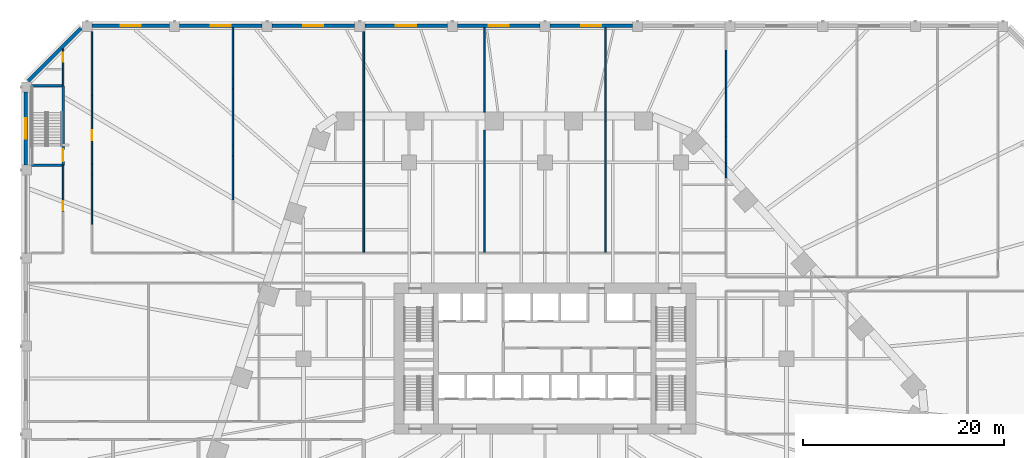
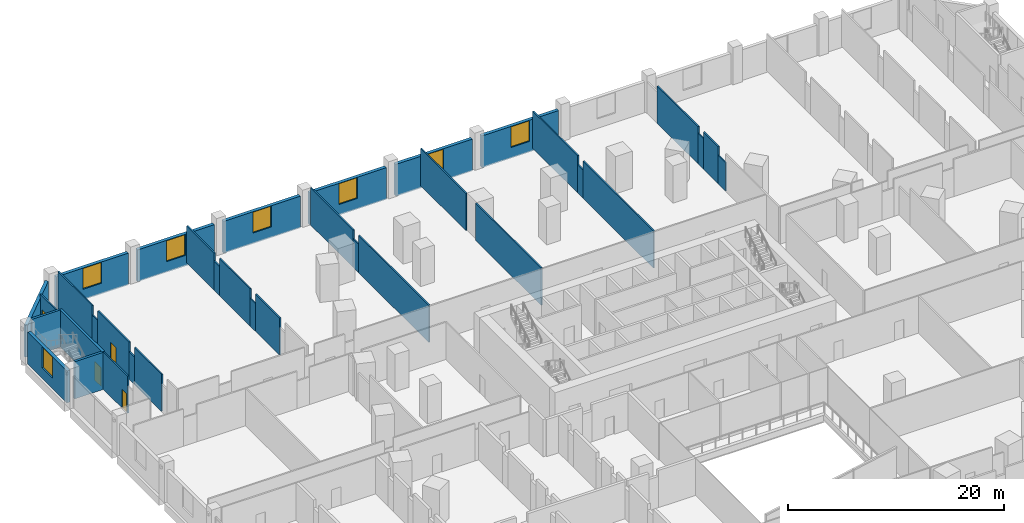
# One storey, part 21 of 33: 35 walls, 7 windows, 4 doors, 11 openings.
"""IFC4 building model written with IfcOpenShell, lengths in metres."""

from ifc_helpers import new_model, si_unit, direction, frame, frame_2d, origin, place, context, subcontext, project, spatial, rectangle, extrude, material, layer, layer_set, type_object, element, fill, save


model = new_model("IFC4")

# Units and contexts
model_context = context("Model", 3, precision=1e-05, world=origin(), true_north=direction((0.0, 1.0)))
body_context = subcontext(model_context, "Body", "Model", "MODEL_VIEW")
ifc_project = project(units=[si_unit("LENGTHUNIT", "METRE"), si_unit("AREAUNIT", "SQUARE_METRE"), si_unit("VOLUMEUNIT", "CUBIC_METRE"), si_unit("PLANEANGLEUNIT", "RADIAN"), si_unit("MASSUNIT", "GRAM", prefix="KILO")], contexts=[model_context])

# Site, building, storey
site_placement = place(None, origin())
site = spatial("IfcSite", under=ifc_project, at=site_placement, CompositionType="ELEMENT")
building_placement = place(site_placement, origin())
building = spatial("IfcBuilding", under=site, at=building_placement, Name="Isthmus Gate Tower", CompositionType="ELEMENT")
storey_placement = place(building_placement, frame((0.0, 0.0, 22.5)))
storey = spatial("IfcBuildingStorey", under=building, at=storey_placement, Name="L03", CompositionType="ELEMENT", Elevation=22.5)

# Wall, opening, door
ifc_material_1 = material(Name="Fire-rated gypsum board on steel studs", Category="steel")
ifc_layer_1 = layer(ifc_material_1, 0.14990234375)
ifc_layer_set_1 = layer_set([ifc_layer_1], Name="Fire-rated partition 150 EI 60")
wall_type_1 = type_object("IfcWallType", Name="Fire-rated partition 150 EI 60", PredefinedType="PARTITIONING", material=ifc_layer_set_1)
wall_1_placement = place(storey_placement, frame((-47.875, 22.11572265625, 0.0), z_axis=(0.0, 0.0, 1.0), x_axis=(0.0, 1.0, 0.0)))
wall_1 = element("IfcWall", 1, at=wall_1_placement, inside=storey, type_object=wall_type_1, Name="Fire-rated partition", PredefinedType="PARTITIONING", context=body_context, shape_type="SweptSolid", body=[
    extrude(rectangle(XDim=4.584228515625, YDim=0.14990234375, at=frame_2d((2.2919921875, 0.0))), origin(), (0.0, 0.0, 1.0), 4.199951171875),
])
opening_1_placement = place(wall_1_placement, frame((0.14990234375, 0.0, 0.0)))
opening_1 = element("IfcOpeningElement", 2, at=opening_1_placement, cuts=wall_1, Name="Opening DP03-02", PredefinedType="OPENING", context=body_context, shape_type="SweptSolid", body=[
    extrude(rectangle(XDim=0.89990234375, YDim=2.10009765625, at=frame_2d((0.449951171875, 1.050048828125))), frame((0.0, 0.0849609375, 0.0), z_axis=(0.0, -1.0, 0.0), x_axis=(1.0, 0.0, 0.0)), (0.0, 0.0, 1.0), 0.169921875),
])
ifc_material_2 = material(Name="Steel fire door with intumescent seals", Category="steel")
door_type_1 = type_object("IfcDoorType", Name="Fire door 900 x 2100", OperationType="SINGLE_SWING_LEFT", PredefinedType="DOOR", material=ifc_material_2)
door_1_placement = place(opening_1_placement, origin())
door_1 = element("IfcDoor", 3, at=door_1_placement, inside=storey, type_object=door_type_1, Name="Door DP03-02", OperationType="SINGLE_SWING_LEFT", OverallHeight=2.10009765625, OverallWidth=0.89990234375, PredefinedType="DOOR", context=body_context, shape_type="SweptSolid", body=[
    extrude(rectangle(XDim=0.89990234375, YDim=2.10009765625, at=frame_2d((0.449951171875, 1.050048828125))), frame((0.0, 0.02490234375, 0.0), z_axis=(0.0, -1.0, 0.0), x_axis=(1.0, 0.0, 0.0)), (0.0, 0.0, 1.0), 0.050048828125),
])
fill(opening_1, door_1)

wall_2_placement = place(storey_placement, frame((-47.875, 34.60009765625, 0.0), z_axis=(0.0, 0.0, 1.0), x_axis=(0.0, 1.0, 0.0)))
wall_2 = element("IfcWall", 4, at=wall_2_placement, inside=storey, type_object=wall_type_1, Name="Fire-rated partition", PredefinedType="PARTITIONING", context=body_context, shape_type="SweptSolid", body=[
    extrude(rectangle(XDim=3.676513671875, YDim=0.14990234375, at=frame_2d((1.83837890625, 0.0))), origin(), (0.0, 0.0, 1.0), 3.66650390625),
])
opening_2_placement = place(wall_2_placement, frame((2.39990234375, 0.0, 0.0)))
opening_2 = element("IfcOpeningElement", 5, at=opening_2_placement, cuts=wall_2, Name="Opening DP03-03", PredefinedType="OPENING", context=body_context, shape_type="SweptSolid", body=[
    extrude(rectangle(XDim=0.89990234375, YDim=2.10009765625, at=frame_2d((0.449951171875, 1.050048828125))), frame((0.0, 0.0849609375, 0.0), z_axis=(0.0, -1.0, 0.0), x_axis=(1.0, 0.0, 0.0)), (0.0, 0.0, 1.0), 0.169921875),
])
door_2_placement = place(opening_2_placement, origin())
door_2 = element("IfcDoor", 6, at=door_2_placement, inside=storey, type_object=door_type_1, Name="Door DP03-03", OperationType="SINGLE_SWING_LEFT", OverallHeight=2.10009765625, OverallWidth=0.89990234375, PredefinedType="DOOR", context=body_context, shape_type="SweptSolid", body=[
    extrude(rectangle(XDim=0.89990234375, YDim=2.10009765625, at=frame_2d((0.449951171875, 1.050048828125))), frame((0.0, 0.02490234375, 0.0), z_axis=(0.0, -1.0, 0.0), x_axis=(1.0, 0.0, 0.0)), (0.0, 0.0, 1.0), 0.050048828125),
])
fill(opening_2, door_2)

# Walls
wall_3_placement = place(storey_placement, frame((-45.0, 20.81103515625, 0.0), z_axis=(0.0, 0.0, 1.0), x_axis=(0.0, 1.0, 0.0)))
element("IfcWall", 7, at=wall_3_placement, inside=storey, type_object=wall_type_1, Name="Fire-rated partition", PredefinedType="PARTITIONING", context=body_context, shape_type="SweptSolid", body=[
    extrude(rectangle(XDim=5.001708984375, YDim=0.14990234375, at=frame_2d((2.5009765625, 0.0))), origin(), (0.0, 0.0, 1.0), 4.199951171875),
])
wall_4_placement = place(storey_placement, frame((-45.0, 25.812744140625, 0.0), z_axis=(0.0, 0.0, 1.0), x_axis=(0.0, 1.0, 0.0)))
element("IfcWall", 8, at=wall_4_placement, inside=storey, type_object=wall_type_1, Name="Fire-rated partition", PredefinedType="PARTITIONING", context=body_context, shape_type="SweptSolid", body=[
    extrude(rectangle(XDim=1.0, YDim=0.14990234375, at=frame_2d((0.5, 0.0))), origin(), (0.0, 0.0, 1.0), 3.111083984375),
])

# Wall, opening, door
wall_5_placement = place(storey_placement, frame((-45.0, 26.812744140625, 0.0), z_axis=(0.0, 0.0, 1.0), x_axis=(0.0, 1.0, 0.0)))
wall_5 = element("IfcWall", 9, at=wall_5_placement, inside=storey, type_object=wall_type_1, Name="Fire-rated partition", PredefinedType="PARTITIONING", context=body_context, shape_type="SweptSolid", body=[
    extrude(rectangle(XDim=5.808349609375, YDim=0.14990234375, at=frame_2d((2.904296875, 0.0))), origin(), (0.0, 0.0, 1.0), 4.199951171875),
])
opening_3_placement = place(wall_5_placement, frame((2.39990234375, 0.0, 0.0)))
opening_3 = element("IfcOpeningElement", 10, at=opening_3_placement, cuts=wall_5, Name="Opening DP03-31", PredefinedType="OPENING", context=body_context, shape_type="SweptSolid", body=[
    extrude(rectangle(XDim=1.0, YDim=2.10009765625, at=frame_2d((0.5, 1.050048828125))), frame((0.0, 0.0849609375, 0.0), z_axis=(0.0, -1.0, 0.0), x_axis=(1.0, 0.0, 0.0)), (0.0, 0.0, 1.0), 0.169921875),
])
ifc_material_3 = material(Name="Steel fire door with intumescent seals", Category="steel")
door_type_2 = type_object("IfcDoorType", Name="Fire door 1000 x 2100", OperationType="SINGLE_SWING_LEFT", PredefinedType="DOOR", material=ifc_material_3)
door_3_placement = place(opening_3_placement, origin())
door_3 = element("IfcDoor", 11, at=door_3_placement, inside=storey, type_object=door_type_2, Name="Door DP03-31", OperationType="SINGLE_SWING_LEFT", OverallHeight=2.10009765625, OverallWidth=1.0, PredefinedType="DOOR", context=body_context, shape_type="SweptSolid", body=[
    extrude(rectangle(XDim=1.0, YDim=2.10009765625, at=frame_2d((0.5, 1.050048828125))), frame((0.0, 0.02490234375, 0.0), z_axis=(0.0, -1.0, 0.0), x_axis=(1.0, 0.0, 0.0)), (0.0, 0.0, 1.0), 0.050048828125),
])
fill(opening_3, door_3)

# Walls
wall_6_placement = place(storey_placement, frame((-45.0, 32.62109375, 0.0), z_axis=(0.0, 0.0, 1.0), x_axis=(0.0, 1.0, 0.0)))
element("IfcWall", 12, at=wall_6_placement, inside=storey, type_object=wall_type_1, Name="Fire-rated partition", PredefinedType="PARTITIONING", context=body_context, shape_type="SweptSolid", body=[
    extrude(rectangle(XDim=1.0, YDim=0.14990234375, at=frame_2d((0.5, 0.0))), origin(), (0.0, 0.0, 1.0), 3.111083984375),
])
wall_7_placement = place(storey_placement, frame((-45.0, 33.62109375, 0.0), z_axis=(0.0, 0.0, 1.0), x_axis=(0.0, 1.0, 0.0)))
element("IfcWall", 13, at=wall_7_placement, inside=storey, type_object=wall_type_1, Name="Fire-rated partition", PredefinedType="PARTITIONING", context=body_context, shape_type="SweptSolid", body=[
    extrude(rectangle(XDim=6.37890625, YDim=0.14990234375, at=frame_2d((3.189453125, 0.0))), origin(), (0.0, 0.0, 1.0), 4.199951171875),
])

# Wall, opening, window
ifc_material_4 = material(Name="Precast concrete C40/50, limestone-faced", Category="masonry")
ifc_layer_2 = layer(ifc_material_4, 0.35009765625)
ifc_layer_set_2 = layer_set([ifc_layer_2], Name="PODIUM CLADDING WALL 350")
wall_type_2 = type_object("IfcWallType", Name="PODIUM CLADDING WALL 350", PredefinedType="SOLIDWALL", material=ifc_layer_set_2)
wall_8_placement = place(storey_placement, frame((8.699951171875, 40.574951171875, -0.300048828125), z_axis=(0.0, 0.0, 1.0), x_axis=(-1.0, 0.0, 0.0)))
wall_8 = element("IfcWall", 14, at=wall_8_placement, inside=storey, type_object=wall_type_2, Name="PODIUM WALL", PredefinedType="SOLIDWALL", context=body_context, shape_type="SweptSolid", body=[
    extrude(rectangle(XDim=8.199951171875, YDim=0.35009765625, at=frame_2d((4.10009765625, 0.0))), origin(), (0.0, 0.0, 1.0), 3.60009765625),
])
opening_4_placement = place(wall_8_placement, frame((3.10009765625, 0.0, 1.199951171875)))
opening_4 = element("IfcOpeningElement", 15, at=opening_4_placement, cuts=wall_8, Name="Opening W052", PredefinedType="OPENING", context=body_context, shape_type="SweptSolid", body=[
    extrude(rectangle(XDim=2.0, YDim=2.35009765625, at=frame_2d((1.0, 1.175048828125))), frame((0.0, 0.18505859375, 0.0), z_axis=(0.0, -1.0, 0.0), x_axis=(1.0, 0.0, 0.0)), (0.0, 0.0, 1.0), 0.3701171875),
])
ifc_material_5 = material(Name="Aluminium, pale champagne anodised, laminated glass", Category="aluminium")
window_type = type_object("IfcWindowType", Name="PODIUM SLOT WINDOW 2000 X 2350", PartitioningType="SINGLE_PANEL", PredefinedType="WINDOW", material=ifc_material_5)
window_1_placement = place(opening_4_placement, origin())
window_1 = element("IfcWindow", 16, at=window_1_placement, inside=storey, type_object=window_type, Name="SLOT WINDOW", OverallHeight=2.35009765625, OverallWidth=2.0, PartitioningType="SINGLE_PANEL", PredefinedType="WINDOW", context=body_context, shape_type="SweptSolid", body=[
    extrude(rectangle(XDim=2.0, YDim=2.35009765625, at=frame_2d((1.0, 1.175048828125))), frame((0.0, 0.030029296875, 0.0), z_axis=(0.0, -1.0, 0.0), x_axis=(1.0, 0.0, 0.0)), (0.0, 0.0, 1.0), 0.06005859375),
])
fill(opening_4, window_1)

wall_9_placement = place(storey_placement, frame((-0.5, 40.574951171875, -0.300048828125), z_axis=(0.0, 0.0, 1.0), x_axis=(-1.0, 0.0, 0.0)))
wall_9 = element("IfcWall", 17, at=wall_9_placement, inside=storey, type_object=wall_type_2, Name="PODIUM WALL", PredefinedType="SOLIDWALL", context=body_context, shape_type="SweptSolid", body=[
    extrude(rectangle(XDim=8.199951171875, YDim=0.35009765625, at=frame_2d((4.10009765625, 0.0))), origin(), (0.0, 0.0, 1.0), 3.60009765625),
])
opening_5_placement = place(wall_9_placement, frame((3.10009765625, 0.0, 1.199951171875)))
opening_5 = element("IfcOpeningElement", 18, at=opening_5_placement, cuts=wall_9, Name="Opening W053", PredefinedType="OPENING", context=body_context, shape_type="SweptSolid", body=[
    extrude(rectangle(XDim=2.0, YDim=2.35009765625, at=frame_2d((1.0, 1.175048828125))), frame((0.0, 0.18505859375, 0.0), z_axis=(0.0, -1.0, 0.0), x_axis=(1.0, 0.0, 0.0)), (0.0, 0.0, 1.0), 0.3701171875),
])
window_2_placement = place(opening_5_placement, origin())
window_2 = element("IfcWindow", 19, at=window_2_placement, inside=storey, type_object=window_type, Name="SLOT WINDOW", OverallHeight=2.35009765625, OverallWidth=2.0, PartitioningType="SINGLE_PANEL", PredefinedType="WINDOW", context=body_context, shape_type="SweptSolid", body=[
    extrude(rectangle(XDim=2.0, YDim=2.35009765625, at=frame_2d((1.0, 1.175048828125))), frame((0.0, 0.030029296875, 0.0), z_axis=(0.0, -1.0, 0.0), x_axis=(1.0, 0.0, 0.0)), (0.0, 0.0, 1.0), 0.06005859375),
])
fill(opening_5, window_2)

wall_10_placement = place(storey_placement, frame((-9.699951171875, 40.574951171875, -0.300048828125), z_axis=(0.0, 0.0, 1.0), x_axis=(-1.0, 0.0, 0.0)))
wall_10 = element("IfcWall", 20, at=wall_10_placement, inside=storey, type_object=wall_type_2, Name="PODIUM WALL", PredefinedType="SOLIDWALL", context=body_context, shape_type="SweptSolid", body=[
    extrude(rectangle(XDim=8.199951171875, YDim=0.35009765625, at=frame_2d((4.10009765625, 0.0))), origin(), (0.0, 0.0, 1.0), 3.60009765625),
])
opening_6_placement = place(wall_10_placement, frame((3.10009765625, 0.0, 1.199951171875)))
opening_6 = element("IfcOpeningElement", 21, at=opening_6_placement, cuts=wall_10, Name="Opening W054", PredefinedType="OPENING", context=body_context, shape_type="SweptSolid", body=[
    extrude(rectangle(XDim=2.0, YDim=2.35009765625, at=frame_2d((1.0, 1.175048828125))), frame((0.0, 0.18505859375, 0.0), z_axis=(0.0, -1.0, 0.0), x_axis=(1.0, 0.0, 0.0)), (0.0, 0.0, 1.0), 0.3701171875),
])
window_3_placement = place(opening_6_placement, origin())
window_3 = element("IfcWindow", 22, at=window_3_placement, inside=storey, type_object=window_type, Name="SLOT WINDOW", OverallHeight=2.35009765625, OverallWidth=2.0, PartitioningType="SINGLE_PANEL", PredefinedType="WINDOW", context=body_context, shape_type="SweptSolid", body=[
    extrude(rectangle(XDim=2.0, YDim=2.35009765625, at=frame_2d((1.0, 1.175048828125))), frame((0.0, 0.030029296875, 0.0), z_axis=(0.0, -1.0, 0.0), x_axis=(1.0, 0.0, 0.0)), (0.0, 0.0, 1.0), 0.06005859375),
])
fill(opening_6, window_3)

wall_11_placement = place(storey_placement, frame((-18.89990234375, 40.574951171875, -0.300048828125), z_axis=(0.0, 0.0, 1.0), x_axis=(-1.0, 0.0, 0.0)))
wall_11 = element("IfcWall", 23, at=wall_11_placement, inside=storey, type_object=wall_type_2, Name="PODIUM WALL", PredefinedType="SOLIDWALL", context=body_context, shape_type="SweptSolid", body=[
    extrude(rectangle(XDim=8.2001953125, YDim=0.35009765625, at=frame_2d((4.10009765625, 0.0))), origin(), (0.0, 0.0, 1.0), 3.60009765625),
])
opening_7_placement = place(wall_11_placement, frame((3.10009765625, 0.0, 1.199951171875)))
opening_7 = element("IfcOpeningElement", 24, at=opening_7_placement, cuts=wall_11, Name="Opening W055", PredefinedType="OPENING", context=body_context, shape_type="SweptSolid", body=[
    extrude(rectangle(XDim=2.0, YDim=2.35009765625, at=frame_2d((1.0, 1.175048828125))), frame((0.0, 0.18505859375, 0.0), z_axis=(0.0, -1.0, 0.0), x_axis=(1.0, 0.0, 0.0)), (0.0, 0.0, 1.0), 0.3701171875),
])
window_4_placement = place(opening_7_placement, origin())
window_4 = element("IfcWindow", 25, at=window_4_placement, inside=storey, type_object=window_type, Name="SLOT WINDOW", OverallHeight=2.35009765625, OverallWidth=2.0, PartitioningType="SINGLE_PANEL", PredefinedType="WINDOW", context=body_context, shape_type="SweptSolid", body=[
    extrude(rectangle(XDim=2.0, YDim=2.35009765625, at=frame_2d((1.0, 1.175048828125))), frame((0.0, 0.030029296875, 0.0), z_axis=(0.0, -1.0, 0.0), x_axis=(1.0, 0.0, 0.0)), (0.0, 0.0, 1.0), 0.06005859375),
])
fill(opening_7, window_4)

wall_12_placement = place(storey_placement, frame((-28.10009765625, 40.574951171875, -0.300048828125), z_axis=(0.0, 0.0, 1.0), x_axis=(-1.0, 0.0, 0.0)))
wall_12 = element("IfcWall", 26, at=wall_12_placement, inside=storey, type_object=wall_type_2, Name="PODIUM WALL", PredefinedType="SOLIDWALL", context=body_context, shape_type="SweptSolid", body=[
    extrude(rectangle(XDim=8.199951171875, YDim=0.35009765625, at=frame_2d((4.10009765625, 0.0))), origin(), (0.0, 0.0, 1.0), 3.60009765625),
])
opening_8_placement = place(wall_12_placement, frame((3.10009765625, 0.0, 1.199951171875)))
opening_8 = element("IfcOpeningElement", 27, at=opening_8_placement, cuts=wall_12, Name="Opening W056", PredefinedType="OPENING", context=body_context, shape_type="SweptSolid", body=[
    extrude(rectangle(XDim=2.0, YDim=2.35009765625, at=frame_2d((1.0, 1.175048828125))), frame((0.0, 0.18505859375, 0.0), z_axis=(0.0, -1.0, 0.0), x_axis=(1.0, 0.0, 0.0)), (0.0, 0.0, 1.0), 0.3701171875),
])
window_5_placement = place(opening_8_placement, origin())
window_5 = element("IfcWindow", 28, at=window_5_placement, inside=storey, type_object=window_type, Name="SLOT WINDOW", OverallHeight=2.35009765625, OverallWidth=2.0, PartitioningType="SINGLE_PANEL", PredefinedType="WINDOW", context=body_context, shape_type="SweptSolid", body=[
    extrude(rectangle(XDim=2.0, YDim=2.35009765625, at=frame_2d((1.0, 1.175048828125))), frame((0.0, 0.030029296875, 0.0), z_axis=(0.0, -1.0, 0.0), x_axis=(1.0, 0.0, 0.0)), (0.0, 0.0, 1.0), 0.06005859375),
])
fill(opening_8, window_5)

wall_13_placement = place(storey_placement, frame((-37.300048828125, 40.574951171875, -0.300048828125), z_axis=(0.0, 0.0, 1.0), x_axis=(-1.0, 0.0, 0.0)))
wall_13 = element("IfcWall", 29, at=wall_13_placement, inside=storey, type_object=wall_type_2, Name="PODIUM WALL", PredefinedType="SOLIDWALL", context=body_context, shape_type="SweptSolid", body=[
    extrude(rectangle(XDim=7.699951171875, YDim=0.35009765625, at=frame_2d((3.85009765625, 0.0))), origin(), (0.0, 0.0, 1.0), 3.60009765625),
])
opening_9_placement = place(wall_13_placement, frame((2.85009765625, 0.0, 1.199951171875)))
opening_9 = element("IfcOpeningElement", 30, at=opening_9_placement, cuts=wall_13, Name="Opening W057", PredefinedType="OPENING", context=body_context, shape_type="SweptSolid", body=[
    extrude(rectangle(XDim=2.0, YDim=2.35009765625, at=frame_2d((1.0, 1.175048828125))), frame((0.0, 0.18505859375, 0.0), z_axis=(0.0, -1.0, 0.0), x_axis=(1.0, 0.0, 0.0)), (0.0, 0.0, 1.0), 0.3701171875),
])
window_6_placement = place(opening_9_placement, origin())
window_6 = element("IfcWindow", 31, at=window_6_placement, inside=storey, type_object=window_type, Name="SLOT WINDOW", OverallHeight=2.35009765625, OverallWidth=2.0, PartitioningType="SINGLE_PANEL", PredefinedType="WINDOW", context=body_context, shape_type="SweptSolid", body=[
    extrude(rectangle(XDim=2.0, YDim=2.35009765625, at=frame_2d((1.0, 1.175048828125))), frame((0.0, 0.030029296875, 0.0), z_axis=(0.0, -1.0, 0.0), x_axis=(1.0, 0.0, 0.0)), (0.0, 0.0, 1.0), 0.06005859375),
])
fill(opening_9, window_6)

# Wall
wall_14_placement = place(storey_placement, frame((-46.071533203125, 40.327392578125, -0.300048828125), z_axis=(0.0, 0.0, 1.0), x_axis=(-0.707106781187, -0.707106781187, 0.0)))
element("IfcWall", 32, at=wall_14_placement, inside=storey, type_object=wall_type_2, Name="PODIUM WALL", PredefinedType="SOLIDWALL", context=body_context, shape_type="SweptSolid", body=[
    extrude(rectangle(XDim=7.432861328125, YDim=0.35009765625, at=frame_2d((3.71630859375, 0.0))), origin(), (0.0, 0.0, 1.0), 3.60009765625),
])

# Wall, opening, window
wall_15_placement = place(storey_placement, frame((-51.574951171875, 34.0, -0.300048828125), z_axis=(0.0, 0.0, 1.0), x_axis=(0.0, -1.0, 0.0)))
wall_15 = element("IfcWall", 33, at=wall_15_placement, inside=storey, type_object=wall_type_2, Name="PODIUM WALL", PredefinedType="SOLIDWALL", context=body_context, shape_type="SweptSolid", body=[
    extrude(rectangle(XDim=7.25, YDim=0.35009765625, at=frame_2d((3.625, 0.0))), origin(), (0.0, 0.0, 1.0), 3.60009765625),
])
opening_10_placement = place(wall_15_placement, frame((2.625, 0.0, 1.199951171875)))
opening_10 = element("IfcOpeningElement", 34, at=opening_10_placement, cuts=wall_15, Name="Opening W058", PredefinedType="OPENING", context=body_context, shape_type="SweptSolid", body=[
    extrude(rectangle(XDim=2.0, YDim=2.35009765625, at=frame_2d((1.0, 1.175048828125))), frame((0.0, 0.18505859375, 0.0), z_axis=(0.0, -1.0, 0.0), x_axis=(1.0, 0.0, 0.0)), (0.0, 0.0, 1.0), 0.3701171875),
])
window_7_placement = place(opening_10_placement, origin())
window_7 = element("IfcWindow", 35, at=window_7_placement, inside=storey, type_object=window_type, Name="SLOT WINDOW", OverallHeight=2.35009765625, OverallWidth=2.0, PartitioningType="SINGLE_PANEL", PredefinedType="WINDOW", context=body_context, shape_type="SweptSolid", body=[
    extrude(rectangle(XDim=2.0, YDim=2.35009765625, at=frame_2d((1.0, 1.175048828125))), frame((0.0, 0.030029296875, 0.0), z_axis=(0.0, -1.0, 0.0), x_axis=(1.0, 0.0, 0.0)), (0.0, 0.0, 1.0), 0.06005859375),
])
fill(opening_10, window_7)

# Walls
ifc_material_6 = material(Name="Gypsum board on cold-formed steel studs", Category="steel")
ifc_layer_3 = layer(ifc_material_6, 0.14990234375)
ifc_layer_set_3 = layer_set([ifc_layer_3])
wall_type_3 = type_object("IfcWallType", Name="Partition 150 gypsum board on steel studs", PredefinedType="PARTITIONING", material=ifc_layer_set_3)
wall_16_placement = place(storey_placement, frame((-31.0, 23.219970703125, 0.0), z_axis=(0.0, 0.0, 1.0), x_axis=(0.0, 1.0, 0.0)))
element("IfcWall", 36, at=wall_16_placement, inside=storey, type_object=wall_type_3, Name="Partition", PredefinedType="PARTITIONING", context=body_context, shape_type="SweptSolid", body=[
    extrude(rectangle(XDim=4.460205078125, YDim=0.14990234375, at=frame_2d((2.22998046875, 0.0))), origin(), (0.0, 0.0, 1.0), 4.199951171875),
])
wall_17_placement = place(storey_placement, frame((-31.0, 27.68017578125, 0.0), z_axis=(0.0, 0.0, 1.0), x_axis=(0.0, 1.0, 0.0)))
element("IfcWall", 37, at=wall_17_placement, inside=storey, type_object=wall_type_3, Name="Partition", PredefinedType="PARTITIONING", context=body_context, shape_type="SweptSolid", body=[
    extrude(rectangle(XDim=1.0, YDim=0.14990234375, at=frame_2d((0.5, 0.0))), origin(), (0.0, 0.0, 1.0), 3.111083984375),
])
wall_18_placement = place(storey_placement, frame((-31.0, 28.68017578125, 0.0), z_axis=(0.0, 0.0, 1.0), x_axis=(0.0, 1.0, 0.0)))
element("IfcWall", 38, at=wall_18_placement, inside=storey, type_object=wall_type_3, Name="Partition", PredefinedType="PARTITIONING", context=body_context, shape_type="SweptSolid", body=[
    extrude(rectangle(XDim=5.656005859375, YDim=0.14990234375, at=frame_2d((2.828125, 0.0))), origin(), (0.0, 0.0, 1.0), 4.199951171875),
])
wall_19_placement = place(storey_placement, frame((-31.0, 34.336181640625, 0.0), z_axis=(0.0, 0.0, 1.0), x_axis=(0.0, 1.0, 0.0)))
element("IfcWall", 39, at=wall_19_placement, inside=storey, type_object=wall_type_3, Name="Partition", PredefinedType="PARTITIONING", context=body_context, shape_type="SweptSolid", body=[
    extrude(rectangle(XDim=1.0, YDim=0.14990234375, at=frame_2d((0.5, 0.0))), origin(), (0.0, 0.0, 1.0), 3.29833984375),
])
wall_20_placement = place(storey_placement, frame((-31.0, 35.336181640625, 0.0), z_axis=(0.0, 0.0, 1.0), x_axis=(0.0, 1.0, 0.0)))
element("IfcWall", 40, at=wall_20_placement, inside=storey, type_object=wall_type_3, Name="Partition", PredefinedType="PARTITIONING", context=body_context, shape_type="SweptSolid", body=[
    extrude(rectangle(XDim=5.063720703125, YDim=0.14990234375, at=frame_2d((2.53173828125, 0.0))), origin(), (0.0, 0.0, 1.0), 4.199951171875),
])
wall_21_placement = place(storey_placement, frame((-18.0, 18.074951171875, 0.0), z_axis=(0.0, 0.0, 1.0), x_axis=(0.0, 1.0, 0.0)))
element("IfcWall", 41, at=wall_21_placement, inside=storey, type_object=wall_type_3, Name="Partition", PredefinedType="PARTITIONING", context=body_context, shape_type="SweptSolid", body=[
    extrude(rectangle(XDim=13.025146484375, YDim=0.14990234375, at=frame_2d((6.5126953125, 0.0))), origin(), (0.0, 0.0, 1.0), 4.199951171875),
])
wall_22_placement = place(storey_placement, frame((-18.0, 31.10009765625, 0.0), z_axis=(0.0, 0.0, 1.0), x_axis=(0.0, 1.0, 0.0)))
element("IfcWall", 42, at=wall_22_placement, inside=storey, type_object=wall_type_3, Name="Partition", PredefinedType="PARTITIONING", context=body_context, shape_type="SweptSolid", body=[
    extrude(rectangle(XDim=1.0, YDim=0.14990234375, at=frame_2d((0.5, 0.0))), origin(), (0.0, 0.0, 1.0), 3.199951171875),
])
wall_23_placement = place(storey_placement, frame((-18.0, 32.10009765625, 0.0), z_axis=(0.0, 0.0, 1.0), x_axis=(0.0, 1.0, 0.0)))
element("IfcWall", 43, at=wall_23_placement, inside=storey, type_object=wall_type_3, Name="Partition", PredefinedType="PARTITIONING", context=body_context, shape_type="SweptSolid", body=[
    extrude(rectangle(XDim=7.89990234375, YDim=0.14990234375, at=frame_2d((3.949951171875, 0.0))), origin(), (0.0, 0.0, 1.0), 4.199951171875),
])
wall_24_placement = place(storey_placement, frame((-6.0, 18.074951171875, 0.0), z_axis=(0.0, 0.0, 1.0), x_axis=(0.0, 1.0, 0.0)))
element("IfcWall", 44, at=wall_24_placement, inside=storey, type_object=wall_type_3, Name="Partition", PredefinedType="PARTITIONING", context=body_context, shape_type="SweptSolid", body=[
    extrude(rectangle(XDim=12.125, YDim=0.14990234375, at=frame_2d((6.0625, 0.0))), origin(), (0.0, 0.0, 1.0), 4.199951171875),
])
wall_25_placement = place(storey_placement, frame((-6.0, 32.0, 0.0), z_axis=(0.0, 0.0, 1.0), x_axis=(0.0, 1.0, 0.0)))
element("IfcWall", 45, at=wall_25_placement, inside=storey, type_object=wall_type_3, Name="Partition", PredefinedType="PARTITIONING", context=body_context, shape_type="SweptSolid", body=[
    extrude(rectangle(XDim=8.39990234375, YDim=0.14990234375, at=frame_2d((4.199951171875, 0.0))), origin(), (0.0, 0.0, 1.0), 4.199951171875),
])
wall_26_placement = place(storey_placement, frame((6.0, 18.074951171875, 0.0), z_axis=(0.0, 0.0, 1.0), x_axis=(0.0, 1.0, 0.0)))
element("IfcWall", 46, at=wall_26_placement, inside=storey, type_object=wall_type_3, Name="Partition", PredefinedType="PARTITIONING", context=body_context, shape_type="SweptSolid", body=[
    extrude(rectangle(XDim=13.025146484375, YDim=0.14990234375, at=frame_2d((6.5126953125, 0.0))), origin(), (0.0, 0.0, 1.0), 4.199951171875),
])
wall_27_placement = place(storey_placement, frame((6.0, 31.10009765625, 0.0), z_axis=(0.0, 0.0, 1.0), x_axis=(0.0, 1.0, 0.0)))
element("IfcWall", 47, at=wall_27_placement, inside=storey, type_object=wall_type_3, Name="Partition", PredefinedType="PARTITIONING", context=body_context, shape_type="SweptSolid", body=[
    extrude(rectangle(XDim=1.0, YDim=0.14990234375, at=frame_2d((0.5, 0.0))), origin(), (0.0, 0.0, 1.0), 3.199951171875),
])
wall_28_placement = place(storey_placement, frame((6.0, 32.10009765625, 0.0), z_axis=(0.0, 0.0, 1.0), x_axis=(0.0, 1.0, 0.0)))
element("IfcWall", 48, at=wall_28_placement, inside=storey, type_object=wall_type_3, Name="Partition", PredefinedType="PARTITIONING", context=body_context, shape_type="SweptSolid", body=[
    extrude(rectangle(XDim=8.2998046875, YDim=0.14990234375, at=frame_2d((4.14990234375, 0.0))), origin(), (0.0, 0.0, 1.0), 4.199951171875),
])
wall_29_placement = place(storey_placement, frame((18.0, 25.4794921875, 0.0), z_axis=(0.0, 0.0, 1.0), x_axis=(0.0, 1.0, 0.0)))
element("IfcWall", 49, at=wall_29_placement, inside=storey, type_object=wall_type_3, Name="Partition", PredefinedType="PARTITIONING", context=body_context, shape_type="SweptSolid", body=[
    extrude(rectangle(XDim=1.419921875, YDim=0.14990234375, at=frame_2d((0.7099609375, 0.0))), origin(), (0.0, 0.0, 1.0), 3.199951171875),
])
wall_30_placement = place(storey_placement, frame((18.0, 26.8994140625, 0.0), z_axis=(0.0, 0.0, 1.0), x_axis=(0.0, 1.0, 0.0)))
element("IfcWall", 50, at=wall_30_placement, inside=storey, type_object=wall_type_3, Name="Partition", PredefinedType="PARTITIONING", context=body_context, shape_type="SweptSolid", body=[
    extrude(rectangle(XDim=2.70068359375, YDim=0.14990234375, at=frame_2d((1.350341796875, 0.0))), origin(), (0.0, 0.0, 1.0), 4.199951171875),
])
wall_31_placement = place(storey_placement, frame((18.0, 29.60009765625, 0.0), z_axis=(0.0, 0.0, 1.0), x_axis=(0.0, 1.0, 0.0)))
element("IfcWall", 51, at=wall_31_placement, inside=storey, type_object=wall_type_3, Name="Partition", PredefinedType="PARTITIONING", context=body_context, shape_type="SweptSolid", body=[
    extrude(rectangle(XDim=1.0, YDim=0.14990234375, at=frame_2d((0.5, 0.0))), origin(), (0.0, 0.0, 1.0), 3.441162109375),
])
wall_32_placement = place(storey_placement, frame((18.0, 30.60009765625, 0.0), z_axis=(0.0, 0.0, 1.0), x_axis=(0.0, 1.0, 0.0)))
element("IfcWall", 52, at=wall_32_placement, inside=storey, type_object=wall_type_3, Name="Partition", PredefinedType="PARTITIONING", context=body_context, shape_type="SweptSolid", body=[
    extrude(rectangle(XDim=7.570068359375, YDim=0.14990234375, at=frame_2d((3.78515625, 0.0))), origin(), (0.0, 0.0, 1.0), 4.199951171875),
])
ifc_material_7 = material(Name="Concrete f'c 40 MPa", Category="concrete")
ifc_layer_4 = layer(ifc_material_7, 0.25)
ifc_layer_set_4 = layer_set([ifc_layer_4])
wall_type_4 = type_object("IfcWallType", Name="Stair shaft wall 250 reinforced concrete", PredefinedType="SHEAR", material=ifc_layer_set_4)
for number, where, z_axis, x_axis, name in (
    (53, (-51.0, 26.699951171875, 0.0), (0.0, 0.0, 1.0), (1.0, 0.0, 0.0), "Stair shaft wall"),
    (54, (-51.0, 34.60009765625, 0.0), (0.0, 0.0, 1.0), (1.0, 0.0, 0.0), "Stair shaft wall"),
):
    element("IfcWall", number, at=place(storey_placement, frame(where, z_axis=z_axis, x_axis=x_axis)), inside=storey, type_object=wall_type_4, Name=name, PredefinedType="SHEAR", context=body_context, shape_type="SweptSolid", body=[
        extrude(rectangle(XDim=3.0, YDim=0.25, at=frame_2d((1.5, 0.0))), origin(), (0.0, 0.0, 1.0), 4.199951171875),
    ])

# Wall, opening, door
wall_33_placement = place(storey_placement, frame((-47.875, 26.699951171875, 0.0), z_axis=(0.0, 0.0, 1.0), x_axis=(0.0, 1.0, 0.0)))
wall_33 = element("IfcWall", 55, at=wall_33_placement, inside=storey, type_object=wall_type_4, Name="Stair shaft wall", PredefinedType="SHEAR", context=body_context, shape_type="SweptSolid", body=[
    extrude(rectangle(XDim=7.900146484375, YDim=0.25, at=frame_2d((3.9501953125, 0.0))), origin(), (0.0, 0.0, 1.0), 4.199951171875),
])
opening_11_placement = place(wall_33_placement, frame((0.39990234375, 0.0, 0.0)))
opening_11 = element("IfcOpeningElement", 56, at=opening_11_placement, cuts=wall_33, Name="Opening DP03-01", PredefinedType="OPENING", context=body_context, shape_type="SweptSolid", body=[
    extrude(rectangle(XDim=1.199951171875, YDim=2.10009765625, at=frame_2d((0.60009765625, 1.050048828125))), frame((0.0, 0.135009765625, 0.0), z_axis=(0.0, -1.0, 0.0), x_axis=(1.0, 0.0, 0.0)), (0.0, 0.0, 1.0), 0.27001953125),
])
ifc_material_8 = material(Name="Steel fire door with intumescent seals", Category="steel")
door_type_3 = type_object("IfcDoorType", Name="Fire door 1200 x 2100", OperationType="SINGLE_SWING_LEFT", PredefinedType="DOOR", material=ifc_material_8)
door_4_placement = place(opening_11_placement, origin())
door_4 = element("IfcDoor", 57, at=door_4_placement, inside=storey, type_object=door_type_3, Name="Door DP03-01", OperationType="SINGLE_SWING_LEFT", OverallHeight=2.10009765625, OverallWidth=1.199951171875, PredefinedType="DOOR", context=body_context, shape_type="SweptSolid", body=[
    extrude(rectangle(XDim=1.199951171875, YDim=2.10009765625, at=frame_2d((0.60009765625, 1.050048828125))), frame((0.0, 0.02490234375, 0.0), z_axis=(0.0, -1.0, 0.0), x_axis=(1.0, 0.0, 0.0)), (0.0, 0.0, 1.0), 0.050048828125),
])
fill(opening_11, door_4)

save(model, "model.ifc")
